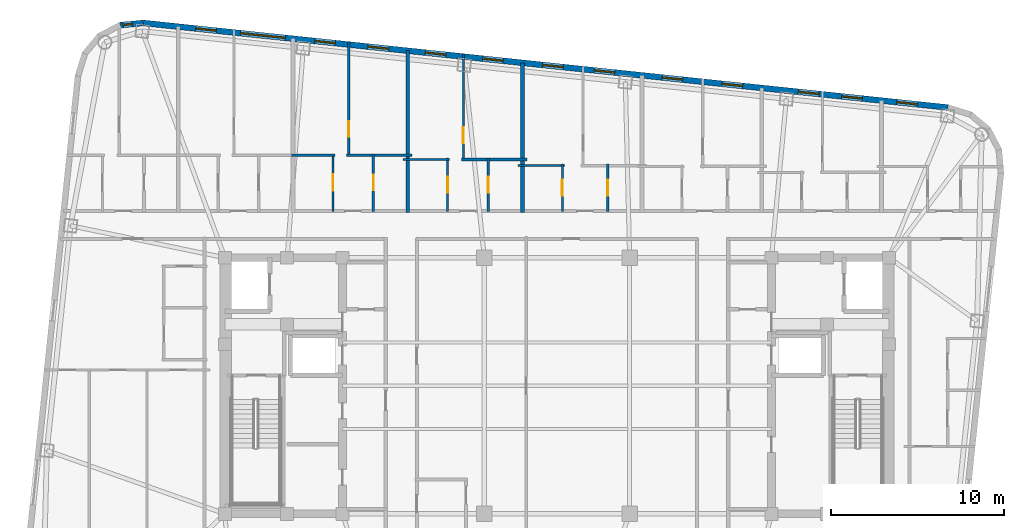
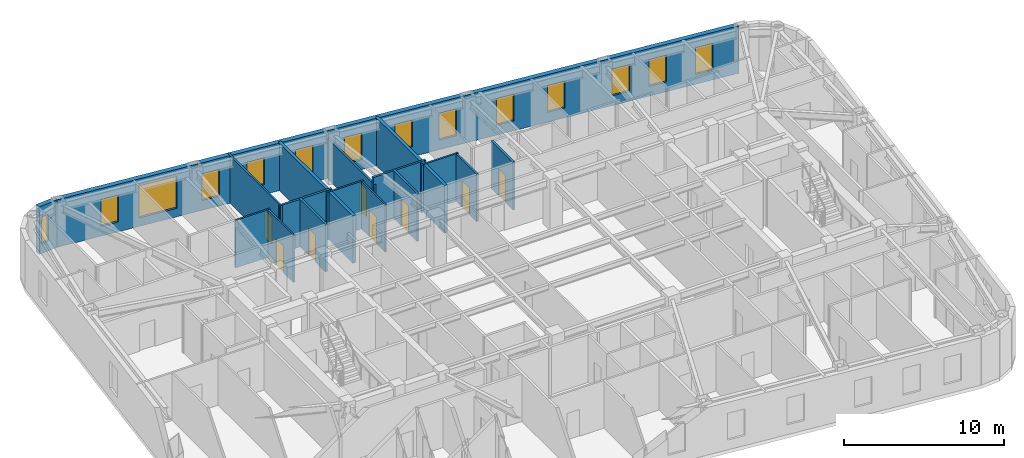
# One storey, part 8 of 11: 17 walls, 14 windows, 8 doors, 22 openings.
"""IFC4 building model written with IfcOpenShell, lengths in metres."""

from ifc_helpers import new_model, si_unit, direction, frame, frame_2d, origin, place, context, subcontext, project, spatial, rectangle, extrude, material, layer, layer_set, type_object, element, fill, save


model = new_model("IFC4")

# Units and contexts
model_context = context("Model", 3, precision=1e-05, world=origin(), true_north=direction((0.0, 1.0)))
body_context = subcontext(model_context, "Body", "Model", "MODEL_VIEW")
ifc_project = project(units=[si_unit("LENGTHUNIT", "METRE"), si_unit("AREAUNIT", "SQUARE_METRE"), si_unit("VOLUMEUNIT", "CUBIC_METRE"), si_unit("PLANEANGLEUNIT", "RADIAN"), si_unit("MASSUNIT", "GRAM", prefix="KILO")], contexts=[model_context])

# Site, building, storey
site_placement = place(None, origin())
site = spatial("IfcSite", under=ifc_project, at=site_placement, CompositionType="ELEMENT")
building_placement = place(site_placement, origin())
building = spatial("IfcBuilding", under=site, at=building_placement, Name="Voryun Gate Residences", CompositionType="ELEMENT")
storey_placement = place(building_placement, frame((0.0, 0.0, 299.0)))
storey = spatial("IfcBuildingStorey", under=building, at=storey_placement, Name="L74", CompositionType="ELEMENT", Elevation=299.0)

# Wall, opening, window
ifc_material_1 = material(Name="Charcoal terracotta masonry", Category="masonry")
ifc_layer_1 = layer(ifc_material_1, 0.340087890625, Name="W_EXT_TERRACOTTA_340")
ifc_layer_set_1 = layer_set([ifc_layer_1], Name="Charcoal terracotta masonry")
wall_type_1 = type_object("IfcWallType", Name="W_EXT_TERRACOTTA_340", PredefinedType="ELEMENTEDWALL", material=ifc_layer_set_1)
wall_1_placement = place(storey_placement, frame((-25.256103515625, 20.848388671875, 0.0), z_axis=(0.0, 0.0, 1.0), x_axis=(0.995813013343, 0.091413579172, 0.0)))
wall_1 = element("IfcWall", 1, at=wall_1_placement, inside=storey, type_object=wall_type_1, Name="Exterior wall WEXT-L74-10", PredefinedType="ELEMENTEDWALL", context=body_context, shape_type="SweptSolid", body=[
    extrude(rectangle(XDim=1.35400390625, YDim=0.340087890625, at=frame_2d((0.677001953125, 0.0))), origin(), (0.0, 0.0, 1.0), 3.635009765625),
])
opening_1_placement = place(wall_1_placement, frame((0.177001953125, 0.0, 0.75)))
opening_1 = element("IfcOpeningElement", 2, at=opening_1_placement, cuts=wall_1, Name="Opening WN10", PredefinedType="OPENING", context=body_context, shape_type="SweptSolid", body=[
    extrude(rectangle(XDim=0.52001953125, YDim=2.050048828125, at=frame_2d((0.260009765625, 1.02490234375))), frame((0.0, 0.179931640625, 0.0), z_axis=(0.0, -1.0, 0.0), x_axis=(1.0, 0.0, 0.0)), (0.0, 0.0, 1.0), 0.360107421875),
])
ifc_material_2 = material(Name="Laminated low-E glass", Category="glass")
window_type_1 = type_object("IfcWindowType", Name="WN_PAGODA_LANCET_520", PartitioningType="SINGLE_PANEL", PredefinedType="WINDOW", material=ifc_material_2)
window_1_placement = place(opening_1_placement, origin())
window_1 = element("IfcWindow", 3, at=window_1_placement, inside=storey, type_object=window_type_1, Name="Window WN-L74-DWFIX-02", OverallHeight=2.050048828125, OverallWidth=0.52001953125, PartitioningType="SINGLE_PANEL", PredefinedType="WINDOW", context=body_context, shape_type="SweptSolid", body=[
    extrude(rectangle(XDim=0.52001953125, YDim=2.050048828125, at=frame_2d((0.260009765625, 1.02490234375))), frame((0.0, 0.030029296875, 0.0), z_axis=(0.0, -1.0, 0.0), x_axis=(1.0, 0.0, 0.0)), (0.0, 0.0, 1.0), 0.06005859375),
])
fill(opening_1, window_1)

# Wall, openings, windows
wall_2_placement = place(storey_placement, frame((-23.90771484375, 20.97216796875, 0.0), z_axis=(0.0, 0.0, 1.0), x_axis=(0.994521888554, -0.104528528102, 0.0)))
wall_2 = element("IfcWall", 4, at=wall_2_placement, inside=storey, type_object=wall_type_1, Name="Exterior wall WEXT-L74-11", PredefinedType="ELEMENTEDWALL", context=body_context, shape_type="SweptSolid", body=[
    extrude(rectangle(XDim=46.766357421875, YDim=0.340087890625, at=frame_2d((23.38330078125, 0.0))), origin(), (0.0, 0.0, 1.0), 3.635009765625),
])
opening_2_placement = place(wall_2_placement, frame((5.644287109375, 0.0, 0.64990234375)))
opening_2 = element("IfcOpeningElement", 5, at=opening_2_placement, cuts=wall_2, Name="Opening WN4", PredefinedType="OPENING", context=body_context, shape_type="SweptSolid", body=[
    extrude(rectangle(XDim=2.60009765625, YDim=2.449951171875, at=frame_2d((1.300048828125, 1.22509765625))), frame((0.0, 0.179931640625, 0.0), z_axis=(0.0, -1.0, 0.0), x_axis=(1.0, 0.0, 0.0)), (0.0, 0.0, 1.0), 0.360107421875),
])
opening_3_placement = place(wall_2_placement, frame((3.049560546875, 0.0, 0.75)))
opening_3 = element("IfcOpeningElement", 6, at=opening_3_placement, cuts=wall_2, Name="Opening WN6", PredefinedType="OPENING", context=body_context, shape_type="SweptSolid", body=[
    extrude(rectangle(XDim=1.199951171875, YDim=2.050048828125, at=frame_2d((0.60009765625, 1.02490234375))), frame((0.0, 0.179931640625, 0.0), z_axis=(0.0, -1.0, 0.0), x_axis=(1.0, 0.0, 0.0)), (0.0, 0.0, 1.0), 0.360107421875),
])
opening_4_placement = place(wall_2_placement, frame((9.95654296875, 0.0, 0.75)))
opening_4 = element("IfcOpeningElement", 7, at=opening_4_placement, cuts=wall_2, Name="Opening WN6", PredefinedType="OPENING", context=body_context, shape_type="SweptSolid", body=[
    extrude(rectangle(XDim=1.199951171875, YDim=2.050048828125, at=frame_2d((0.60009765625, 1.02490234375))), frame((0.0, 0.179931640625, 0.0), z_axis=(0.0, -1.0, 0.0), x_axis=(1.0, 0.0, 0.0)), (0.0, 0.0, 1.0), 0.360107421875),
])
opening_5_placement = place(wall_2_placement, frame((13.0498046875, 0.0, 0.75)))
opening_5 = element("IfcOpeningElement", 8, at=opening_5_placement, cuts=wall_2, Name="Opening WN6", PredefinedType="OPENING", context=body_context, shape_type="SweptSolid", body=[
    extrude(rectangle(XDim=1.199951171875, YDim=2.050048828125, at=frame_2d((0.60009765625, 1.02490234375))), frame((0.0, 0.179931640625, 0.0), z_axis=(0.0, -1.0, 0.0), x_axis=(1.0, 0.0, 0.0)), (0.0, 0.0, 1.0), 0.360107421875),
])
opening_6_placement = place(wall_2_placement, frame((16.383056640625, 0.0, 0.75)))
opening_6 = element("IfcOpeningElement", 9, at=opening_6_placement, cuts=wall_2, Name="Opening WN6", PredefinedType="OPENING", context=body_context, shape_type="SweptSolid", body=[
    extrude(rectangle(XDim=1.199951171875, YDim=2.050048828125, at=frame_2d((0.60009765625, 1.02490234375))), frame((0.0, 0.179931640625, 0.0), z_axis=(0.0, -1.0, 0.0), x_axis=(1.0, 0.0, 0.0)), (0.0, 0.0, 1.0), 0.360107421875),
])
opening_7_placement = place(wall_2_placement, frame((19.71630859375, 0.0, 0.75)))
opening_7 = element("IfcOpeningElement", 10, at=opening_7_placement, cuts=wall_2, Name="Opening WN6", PredefinedType="OPENING", context=body_context, shape_type="SweptSolid", body=[
    extrude(rectangle(XDim=1.199951171875, YDim=2.050048828125, at=frame_2d((0.60009765625, 1.02490234375))), frame((0.0, 0.179931640625, 0.0), z_axis=(0.0, -1.0, 0.0), x_axis=(1.0, 0.0, 0.0)), (0.0, 0.0, 1.0), 0.360107421875),
])
opening_8_placement = place(wall_2_placement, frame((23.19482421875, 0.0, 0.75)))
opening_8 = element("IfcOpeningElement", 11, at=opening_8_placement, cuts=wall_2, Name="Opening WN6", PredefinedType="OPENING", context=body_context, shape_type="SweptSolid", body=[
    extrude(rectangle(XDim=1.199951171875, YDim=2.050048828125, at=frame_2d((0.60009765625, 1.02490234375))), frame((0.0, 0.179931640625, 0.0), z_axis=(0.0, -1.0, 0.0), x_axis=(1.0, 0.0, 0.0)), (0.0, 0.0, 1.0), 0.360107421875),
])
opening_9_placement = place(wall_2_placement, frame((26.193603515625, 0.0, 0.75)))
opening_9 = element("IfcOpeningElement", 12, at=opening_9_placement, cuts=wall_2, Name="Opening WN6", PredefinedType="OPENING", context=body_context, shape_type="SweptSolid", body=[
    extrude(rectangle(XDim=1.199951171875, YDim=2.050048828125, at=frame_2d((0.60009765625, 1.02490234375))), frame((0.0, 0.179931640625, 0.0), z_axis=(0.0, -1.0, 0.0), x_axis=(1.0, 0.0, 0.0)), (0.0, 0.0, 1.0), 0.360107421875),
])
opening_10_placement = place(wall_2_placement, frame((30.152099609375, 0.0, 0.75)))
opening_10 = element("IfcOpeningElement", 13, at=opening_10_placement, cuts=wall_2, Name="Opening WN6", PredefinedType="OPENING", context=body_context, shape_type="SweptSolid", body=[
    extrude(rectangle(XDim=1.199951171875, YDim=2.050048828125, at=frame_2d((0.60009765625, 1.02490234375))), frame((0.0, 0.179931640625, 0.0), z_axis=(0.0, -1.0, 0.0), x_axis=(1.0, 0.0, 0.0)), (0.0, 0.0, 1.0), 0.360107421875),
])
opening_11_placement = place(wall_2_placement, frame((33.630615234375, 0.0, 0.75)))
opening_11 = element("IfcOpeningElement", 14, at=opening_11_placement, cuts=wall_2, Name="Opening WN6", PredefinedType="OPENING", context=body_context, shape_type="SweptSolid", body=[
    extrude(rectangle(XDim=1.199951171875, YDim=2.050048828125, at=frame_2d((0.60009765625, 1.02490234375))), frame((0.0, 0.179931640625, 0.0), z_axis=(0.0, -1.0, 0.0), x_axis=(1.0, 0.0, 0.0)), (0.0, 0.0, 1.0), 0.360107421875),
])
opening_12_placement = place(wall_2_placement, frame((38.069580078125, 0.0, 0.75)))
opening_12 = element("IfcOpeningElement", 15, at=opening_12_placement, cuts=wall_2, Name="Opening WN6", PredefinedType="OPENING", context=body_context, shape_type="SweptSolid", body=[
    extrude(rectangle(XDim=1.199951171875, YDim=2.050048828125, at=frame_2d((0.60009765625, 1.02490234375))), frame((0.0, 0.179931640625, 0.0), z_axis=(0.0, -1.0, 0.0), x_axis=(1.0, 0.0, 0.0)), (0.0, 0.0, 1.0), 0.360107421875),
])
opening_13_placement = place(wall_2_placement, frame((40.588623046875, 0.0, 0.75)))
opening_13 = element("IfcOpeningElement", 16, at=opening_13_placement, cuts=wall_2, Name="Opening WN6", PredefinedType="OPENING", context=body_context, shape_type="SweptSolid", body=[
    extrude(rectangle(XDim=1.199951171875, YDim=2.050048828125, at=frame_2d((0.60009765625, 1.02490234375))), frame((0.0, 0.179931640625, 0.0), z_axis=(0.0, -1.0, 0.0), x_axis=(1.0, 0.0, 0.0)), (0.0, 0.0, 1.0), 0.360107421875),
])
opening_14_placement = place(wall_2_placement, frame((43.78857421875, 0.0, 0.75)))
opening_14 = element("IfcOpeningElement", 17, at=opening_14_placement, cuts=wall_2, Name="Opening WN6", PredefinedType="OPENING", context=body_context, shape_type="SweptSolid", body=[
    extrude(rectangle(XDim=1.199951171875, YDim=2.050048828125, at=frame_2d((0.60009765625, 1.02490234375))), frame((0.0, 0.179931640625, 0.0), z_axis=(0.0, -1.0, 0.0), x_axis=(1.0, 0.0, 0.0)), (0.0, 0.0, 1.0), 0.360107421875),
])
ifc_material_3 = material(Name="Laminated low-E glass", Category="glass")
window_type_2 = type_object("IfcWindowType", Name="WN_PENT_TALL_2600", PartitioningType="SINGLE_PANEL", PredefinedType="WINDOW", material=ifc_material_3)
window_2_placement = place(opening_2_placement, origin())
window_2 = element("IfcWindow", 18, at=window_2_placement, inside=storey, type_object=window_type_2, Name="Window WN-WEXT-L74-11-01", OverallHeight=2.449951171875, OverallWidth=2.60009765625, PartitioningType="SINGLE_PANEL", PredefinedType="WINDOW", context=body_context, shape_type="SweptSolid", body=[
    extrude(rectangle(XDim=2.60009765625, YDim=2.449951171875, at=frame_2d((1.300048828125, 1.22509765625))), frame((0.0, 0.030029296875, 0.0), z_axis=(0.0, -1.0, 0.0), x_axis=(1.0, 0.0, 0.0)), (0.0, 0.0, 1.0), 0.06005859375),
])
fill(opening_2, window_2)
ifc_material_4 = material(Name="Laminated low-E glass", Category="glass")
window_type_3 = type_object("IfcWindowType", Name="WN_POD_SLOT_1200", PartitioningType="SINGLE_PANEL", PredefinedType="WINDOW", material=ifc_material_4)
window_3_placement = place(opening_3_placement, origin())
window_3 = element("IfcWindow", 19, at=window_3_placement, inside=storey, type_object=window_type_3, Name="Window WN-L74-DWFIX-03", OverallHeight=2.050048828125, OverallWidth=1.199951171875, PartitioningType="SINGLE_PANEL", PredefinedType="WINDOW", context=body_context, shape_type="SweptSolid", body=[
    extrude(rectangle(XDim=1.199951171875, YDim=2.050048828125, at=frame_2d((0.60009765625, 1.02490234375))), frame((0.0, 0.030029296875, 0.0), z_axis=(0.0, -1.0, 0.0), x_axis=(1.0, 0.0, 0.0)), (0.0, 0.0, 1.0), 0.06005859375),
])
fill(opening_3, window_3)
window_4_placement = place(opening_4_placement, origin())
window_4 = element("IfcWindow", 20, at=window_4_placement, inside=storey, type_object=window_type_3, Name="Window WN-L74-DWFIX-04", OverallHeight=2.050048828125, OverallWidth=1.199951171875, PartitioningType="SINGLE_PANEL", PredefinedType="WINDOW", context=body_context, shape_type="SweptSolid", body=[
    extrude(rectangle(XDim=1.199951171875, YDim=2.050048828125, at=frame_2d((0.60009765625, 1.02490234375))), frame((0.0, 0.030029296875, 0.0), z_axis=(0.0, -1.0, 0.0), x_axis=(1.0, 0.0, 0.0)), (0.0, 0.0, 1.0), 0.06005859375),
])
fill(opening_4, window_4)
window_5_placement = place(opening_5_placement, origin())
window_5 = element("IfcWindow", 21, at=window_5_placement, inside=storey, type_object=window_type_3, Name="Window WN-L74-DWFIX-05", OverallHeight=2.050048828125, OverallWidth=1.199951171875, PartitioningType="SINGLE_PANEL", PredefinedType="WINDOW", context=body_context, shape_type="SweptSolid", body=[
    extrude(rectangle(XDim=1.199951171875, YDim=2.050048828125, at=frame_2d((0.60009765625, 1.02490234375))), frame((0.0, 0.030029296875, 0.0), z_axis=(0.0, -1.0, 0.0), x_axis=(1.0, 0.0, 0.0)), (0.0, 0.0, 1.0), 0.06005859375),
])
fill(opening_5, window_5)
window_6_placement = place(opening_6_placement, origin())
window_6 = element("IfcWindow", 22, at=window_6_placement, inside=storey, type_object=window_type_3, Name="Window WN-L74-DWFIX-06", OverallHeight=2.050048828125, OverallWidth=1.199951171875, PartitioningType="SINGLE_PANEL", PredefinedType="WINDOW", context=body_context, shape_type="SweptSolid", body=[
    extrude(rectangle(XDim=1.199951171875, YDim=2.050048828125, at=frame_2d((0.60009765625, 1.02490234375))), frame((0.0, 0.030029296875, 0.0), z_axis=(0.0, -1.0, 0.0), x_axis=(1.0, 0.0, 0.0)), (0.0, 0.0, 1.0), 0.06005859375),
])
fill(opening_6, window_6)
window_7_placement = place(opening_7_placement, origin())
window_7 = element("IfcWindow", 23, at=window_7_placement, inside=storey, type_object=window_type_3, Name="Window WN-L74-DWFIX-07", OverallHeight=2.050048828125, OverallWidth=1.199951171875, PartitioningType="SINGLE_PANEL", PredefinedType="WINDOW", context=body_context, shape_type="SweptSolid", body=[
    extrude(rectangle(XDim=1.199951171875, YDim=2.050048828125, at=frame_2d((0.60009765625, 1.02490234375))), frame((0.0, 0.030029296875, 0.0), z_axis=(0.0, -1.0, 0.0), x_axis=(1.0, 0.0, 0.0)), (0.0, 0.0, 1.0), 0.06005859375),
])
fill(opening_7, window_7)
window_8_placement = place(opening_8_placement, origin())
window_8 = element("IfcWindow", 24, at=window_8_placement, inside=storey, type_object=window_type_3, Name="Window WN-L74-DWFIX-08", OverallHeight=2.050048828125, OverallWidth=1.199951171875, PartitioningType="SINGLE_PANEL", PredefinedType="WINDOW", context=body_context, shape_type="SweptSolid", body=[
    extrude(rectangle(XDim=1.199951171875, YDim=2.050048828125, at=frame_2d((0.60009765625, 1.02490234375))), frame((0.0, 0.030029296875, 0.0), z_axis=(0.0, -1.0, 0.0), x_axis=(1.0, 0.0, 0.0)), (0.0, 0.0, 1.0), 0.06005859375),
])
fill(opening_8, window_8)
window_9_placement = place(opening_9_placement, origin())
window_9 = element("IfcWindow", 25, at=window_9_placement, inside=storey, type_object=window_type_3, Name="Window WN-L74-DWFIX-09", OverallHeight=2.050048828125, OverallWidth=1.199951171875, PartitioningType="SINGLE_PANEL", PredefinedType="WINDOW", context=body_context, shape_type="SweptSolid", body=[
    extrude(rectangle(XDim=1.199951171875, YDim=2.050048828125, at=frame_2d((0.60009765625, 1.02490234375))), frame((0.0, 0.030029296875, 0.0), z_axis=(0.0, -1.0, 0.0), x_axis=(1.0, 0.0, 0.0)), (0.0, 0.0, 1.0), 0.06005859375),
])
fill(opening_9, window_9)
window_10_placement = place(opening_10_placement, origin())
window_10 = element("IfcWindow", 26, at=window_10_placement, inside=storey, type_object=window_type_3, Name="Window WN-L74-DWFIX-10", OverallHeight=2.050048828125, OverallWidth=1.199951171875, PartitioningType="SINGLE_PANEL", PredefinedType="WINDOW", context=body_context, shape_type="SweptSolid", body=[
    extrude(rectangle(XDim=1.199951171875, YDim=2.050048828125, at=frame_2d((0.60009765625, 1.02490234375))), frame((0.0, 0.030029296875, 0.0), z_axis=(0.0, -1.0, 0.0), x_axis=(1.0, 0.0, 0.0)), (0.0, 0.0, 1.0), 0.06005859375),
])
fill(opening_10, window_10)
window_11_placement = place(opening_11_placement, origin())
window_11 = element("IfcWindow", 27, at=window_11_placement, inside=storey, type_object=window_type_3, Name="Window WN-L74-DWFIX-11", OverallHeight=2.050048828125, OverallWidth=1.199951171875, PartitioningType="SINGLE_PANEL", PredefinedType="WINDOW", context=body_context, shape_type="SweptSolid", body=[
    extrude(rectangle(XDim=1.199951171875, YDim=2.050048828125, at=frame_2d((0.60009765625, 1.02490234375))), frame((0.0, 0.030029296875, 0.0), z_axis=(0.0, -1.0, 0.0), x_axis=(1.0, 0.0, 0.0)), (0.0, 0.0, 1.0), 0.06005859375),
])
fill(opening_11, window_11)
window_12_placement = place(opening_12_placement, origin())
window_12 = element("IfcWindow", 28, at=window_12_placement, inside=storey, type_object=window_type_3, Name="Window WN-L74-DWFIX-12", OverallHeight=2.050048828125, OverallWidth=1.199951171875, PartitioningType="SINGLE_PANEL", PredefinedType="WINDOW", context=body_context, shape_type="SweptSolid", body=[
    extrude(rectangle(XDim=1.199951171875, YDim=2.050048828125, at=frame_2d((0.60009765625, 1.02490234375))), frame((0.0, 0.030029296875, 0.0), z_axis=(0.0, -1.0, 0.0), x_axis=(1.0, 0.0, 0.0)), (0.0, 0.0, 1.0), 0.06005859375),
])
fill(opening_12, window_12)
window_13_placement = place(opening_13_placement, origin())
window_13 = element("IfcWindow", 29, at=window_13_placement, inside=storey, type_object=window_type_3, Name="Window WN-L74-DWFIX-13", OverallHeight=2.050048828125, OverallWidth=1.199951171875, PartitioningType="SINGLE_PANEL", PredefinedType="WINDOW", context=body_context, shape_type="SweptSolid", body=[
    extrude(rectangle(XDim=1.199951171875, YDim=2.050048828125, at=frame_2d((0.60009765625, 1.02490234375))), frame((0.0, 0.030029296875, 0.0), z_axis=(0.0, -1.0, 0.0), x_axis=(1.0, 0.0, 0.0)), (0.0, 0.0, 1.0), 0.06005859375),
])
fill(opening_13, window_13)
window_14_placement = place(opening_14_placement, origin())
window_14 = element("IfcWindow", 30, at=window_14_placement, inside=storey, type_object=window_type_3, Name="Window WN-L74-DWFIX-14", OverallHeight=2.050048828125, OverallWidth=1.199951171875, PartitioningType="SINGLE_PANEL", PredefinedType="WINDOW", context=body_context, shape_type="SweptSolid", body=[
    extrude(rectangle(XDim=1.199951171875, YDim=2.050048828125, at=frame_2d((0.60009765625, 1.02490234375))), frame((0.0, 0.030029296875, 0.0), z_axis=(0.0, -1.0, 0.0), x_axis=(1.0, 0.0, 0.0)), (0.0, 0.0, 1.0), 0.06005859375),
])
fill(opening_14, window_14)

# Walls
ifc_material_5 = material(Name="Concrete C40/50", Category="concrete")
ifc_layer_2 = layer(ifc_material_5, 0.219970703125, Name="W_PARTY_ACOUSTIC_220")
ifc_layer_set_2 = layer_set([ifc_layer_2], Name="Concrete C40/50")
wall_type_2 = type_object("IfcWallType", Name="W_PARTY_ACOUSTIC_220", PredefinedType="PARTITIONING", material=ifc_layer_set_2)
wall_3_placement = place(storey_placement, frame((-8.6298828125, 10.02001953125, 0.0), z_axis=(0.0, 0.0, 1.0), x_axis=(0.0, 1.0, 0.0)))
element("IfcWall", 31, at=wall_3_placement, inside=storey, type_object=wall_type_2, Name="Partition wall WP-L74-NPTY-3", PredefinedType="PARTITIONING", context=body_context, shape_type="SweptSolid", body=[
    extrude(rectangle(XDim=9.346435546875, YDim=0.219970703125, at=frame_2d((4.67333984375, 0.0))), origin(), (0.0, 0.0, 1.0), 3.635009765625),
])
wall_4_placement = place(storey_placement, frame((-2.0, 10.02001953125, 0.0), z_axis=(0.0, 0.0, 1.0), x_axis=(0.0, 1.0, 0.0)))
element("IfcWall", 32, at=wall_4_placement, inside=storey, type_object=wall_type_2, Name="Partition wall WP-L74-NPTY-4", PredefinedType="PARTITIONING", context=body_context, shape_type="SweptSolid", body=[
    extrude(rectangle(XDim=8.649658203125, YDim=0.219970703125, at=frame_2d((4.32470703125, 0.0))), origin(), (0.0, 0.0, 1.0), 3.635009765625),
])

# Wall, opening, door
ifc_material_6 = material(Name="Gypsum acoustic partition")
ifc_layer_3 = layer(ifc_material_6, 0.125, Name="W_UNIT_PART_125")
ifc_layer_set_3 = layer_set([ifc_layer_3], Name="Gypsum acoustic partition")
wall_type_3 = type_object("IfcWallType", Name="W_UNIT_PART_125", PredefinedType="PARTITIONING", material=ifc_layer_set_3)
wall_5_placement = place(storey_placement, frame((-12.0400390625, 13.239990234375, 0.0), z_axis=(0.0, 0.0, 1.0), x_axis=(0.0, 1.0, 0.0)))
wall_5 = element("IfcWall", 33, at=wall_5_placement, inside=storey, type_object=wall_type_3, Name="Partition wall WP-L74-N3-OVR", PredefinedType="PARTITIONING", context=body_context, shape_type="SweptSolid", body=[
    extrude(rectangle(XDim=6.635498046875, YDim=0.125, at=frame_2d((3.31787109375, 0.0))), origin(), (0.0, 0.0, 1.0), 3.635009765625),
])
opening_15_placement = place(wall_5_placement, frame((1.142578125, 0.0, 0.0)))
opening_15 = element("IfcOpeningElement", 34, at=opening_15_placement, cuts=wall_5, Name="Opening D-INT-2", PredefinedType="OPENING", context=body_context, shape_type="SweptSolid", body=[
    extrude(rectangle(XDim=0.89990234375, YDim=2.050048828125, at=frame_2d((0.449951171875, 1.02490234375))), frame((0.0, 0.072509765625, 0.0), z_axis=(0.0, -1.0, 0.0), x_axis=(1.0, 0.0, 0.0)), (0.0, 0.0, 1.0), 0.14501953125),
])
ifc_material_7 = material(Name="Architectural oak veneer")
door_type_1 = type_object("IfcDoorType", Name="DR_INT_BATH_900", OperationType="NOTDEFINED", PredefinedType="DOOR", material=ifc_material_7)
door_1_placement = place(opening_15_placement, origin())
door_1 = element("IfcDoor", 35, at=door_1_placement, inside=storey, type_object=door_type_1, Name="Door DR-L74-N3-DMB", OperationType="SINGLE_SWING_RIGHT", OverallHeight=2.050048828125, OverallWidth=0.89990234375, PredefinedType="DOOR", context=body_context, shape_type="SweptSolid", body=[
    extrude(rectangle(XDim=0.89990234375, YDim=2.050048828125, at=frame_2d((0.449951171875, 1.02490234375))), frame((0.0, 0.02490234375, 0.0), z_axis=(0.0, -1.0, 0.0), x_axis=(1.0, 0.0, 0.0)), (0.0, 0.0, 1.0), 0.050048828125),
])
fill(opening_15, door_1)

wall_6_placement = place(storey_placement, frame((-12.949951171875, 10.080078125, 0.0), z_axis=(0.0, 0.0, 1.0), x_axis=(0.0, 1.0, 0.0)))
wall_6 = element("IfcWall", 36, at=wall_6_placement, inside=storey, type_object=wall_type_3, Name="Partition wall WP-L74-N3-IVK", PredefinedType="PARTITIONING", context=body_context, shape_type="SweptSolid", body=[
    extrude(rectangle(XDim=3.31982421875, YDim=0.125, at=frame_2d((1.659912109375, 0.0))), origin(), (0.0, 0.0, 1.0), 3.635009765625),
])
opening_16_placement = place(wall_6_placement, frame((1.18505859375, 0.0, 0.0)))
opening_16 = element("IfcOpeningElement", 37, at=opening_16_placement, cuts=wall_6, Name="Opening D-INT-1", PredefinedType="OPENING", context=body_context, shape_type="SweptSolid", body=[
    extrude(rectangle(XDim=0.949951171875, YDim=2.050048828125, at=frame_2d((0.47509765625, 1.02490234375))), frame((0.0, 0.072509765625, 0.0), z_axis=(0.0, -1.0, 0.0), x_axis=(1.0, 0.0, 0.0)), (0.0, 0.0, 1.0), 0.14501953125),
])
ifc_material_8 = material(Name="Architectural oak veneer")
door_type_2 = type_object("IfcDoorType", Name="DR_INT_ROOM_950", OperationType="NOTDEFINED", PredefinedType="DOOR", material=ifc_material_8)
door_2_placement = place(opening_16_placement, origin())
door_2 = element("IfcDoor", 38, at=door_2_placement, inside=storey, type_object=door_type_2, Name="Door DR-L74-N3-DK", OperationType="SINGLE_SWING_LEFT", OverallHeight=2.050048828125, OverallWidth=0.949951171875, PredefinedType="DOOR", context=body_context, shape_type="SweptSolid", body=[
    extrude(rectangle(XDim=0.949951171875, YDim=2.050048828125, at=frame_2d((0.47509765625, 1.02490234375))), frame((0.0, 0.02490234375, 0.0), z_axis=(0.0, -1.0, 0.0), x_axis=(1.0, 0.0, 0.0)), (0.0, 0.0, 1.0), 0.050048828125),
])
fill(opening_16, door_2)

# Wall
wall_7_placement = place(storey_placement, frame((-15.3349609375, 13.320068359375, 0.0), z_axis=(0.0, 0.0, 1.0), x_axis=(1.0, 0.0, 0.0)))
element("IfcWall", 39, at=wall_7_placement, inside=storey, type_object=wall_type_3, Name="Partition wall WP-L74-N3-HZK", PredefinedType="PARTITIONING", context=body_context, shape_type="SweptSolid", body=[
    extrude(rectangle(XDim=2.5048828125, YDim=0.125, at=frame_2d((1.25244140625, 0.0))), origin(), (0.0, 0.0, 1.0), 3.635009765625),
])

# Wall, opening, door
wall_8_placement = place(storey_placement, frame((-5.409912109375, 12.9990234375, 0.0), z_axis=(0.0, 0.0, 1.0), x_axis=(0.0, 1.0, 0.0)))
wall_8 = element("IfcWall", 40, at=wall_8_placement, inside=storey, type_object=wall_type_3, Name="Partition wall WP-L74-N4-OVR", PredefinedType="PARTITIONING", context=body_context, shape_type="SweptSolid", body=[
    extrude(rectangle(XDim=6.1796875, YDim=0.125, at=frame_2d((3.08984375, 0.0))), origin(), (0.0, 0.0, 1.0), 3.074951171875),
])
opening_17_placement = place(wall_8_placement, frame((1.033203125, 0.0, 0.0)))
opening_17 = element("IfcOpeningElement", 41, at=opening_17_placement, cuts=wall_8, Name="Opening D-INT-2", PredefinedType="OPENING", context=body_context, shape_type="SweptSolid", body=[
    extrude(rectangle(XDim=0.89990234375, YDim=2.050048828125, at=frame_2d((0.449951171875, 1.02490234375))), frame((0.0, 0.072509765625, 0.0), z_axis=(0.0, -1.0, 0.0), x_axis=(1.0, 0.0, 0.0)), (0.0, 0.0, 1.0), 0.14501953125),
])
door_3_placement = place(opening_17_placement, origin())
door_3 = element("IfcDoor", 42, at=door_3_placement, inside=storey, type_object=door_type_1, Name="Door DR-L74-N4-DMB", OperationType="SINGLE_SWING_RIGHT", OverallHeight=2.050048828125, OverallWidth=0.89990234375, PredefinedType="DOOR", context=body_context, shape_type="SweptSolid", body=[
    extrude(rectangle(XDim=0.89990234375, YDim=2.050048828125, at=frame_2d((0.449951171875, 1.02490234375))), frame((0.0, 0.02490234375, 0.0), z_axis=(0.0, -1.0, 0.0), x_axis=(1.0, 0.0, 0.0)), (0.0, 0.0, 1.0), 0.050048828125),
])
fill(opening_17, door_3)

wall_9_placement = place(storey_placement, frame((-6.320068359375, 10.080078125, 0.0), z_axis=(0.0, 0.0, 1.0), x_axis=(0.0, 1.0, 0.0)))
wall_9 = element("IfcWall", 43, at=wall_9_placement, inside=storey, type_object=wall_type_3, Name="Partition wall WP-L74-N4-IVK", PredefinedType="PARTITIONING", context=body_context, shape_type="SweptSolid", body=[
    extrude(rectangle(XDim=3.078857421875, YDim=0.125, at=frame_2d((1.53955078125, 0.0))), origin(), (0.0, 0.0, 1.0), 3.635009765625),
])
opening_18_placement = place(wall_9_placement, frame((1.064453125, 0.0, 0.0)))
opening_18 = element("IfcOpeningElement", 44, at=opening_18_placement, cuts=wall_9, Name="Opening D-INT-1", PredefinedType="OPENING", context=body_context, shape_type="SweptSolid", body=[
    extrude(rectangle(XDim=0.949951171875, YDim=2.050048828125, at=frame_2d((0.47509765625, 1.02490234375))), frame((0.0, 0.072509765625, 0.0), z_axis=(0.0, -1.0, 0.0), x_axis=(1.0, 0.0, 0.0)), (0.0, 0.0, 1.0), 0.14501953125),
])
door_4_placement = place(opening_18_placement, origin())
door_4 = element("IfcDoor", 45, at=door_4_placement, inside=storey, type_object=door_type_2, Name="Door DR-L74-N4-DK", OperationType="SINGLE_SWING_LEFT", OverallHeight=2.050048828125, OverallWidth=0.949951171875, PredefinedType="DOOR", context=body_context, shape_type="SweptSolid", body=[
    extrude(rectangle(XDim=0.949951171875, YDim=2.050048828125, at=frame_2d((0.47509765625, 1.02490234375))), frame((0.0, 0.02490234375, 0.0), z_axis=(0.0, -1.0, 0.0), x_axis=(1.0, 0.0, 0.0)), (0.0, 0.0, 1.0), 0.050048828125),
])
fill(opening_18, door_4)

# Wall
wall_10_placement = place(storey_placement, frame((-8.889892578125, 13.0791015625, 0.0), z_axis=(0.0, 0.0, 1.0), x_axis=(1.0, 0.0, 0.0)))
element("IfcWall", 46, at=wall_10_placement, inside=storey, type_object=wall_type_3, Name="Partition wall WP-L74-N4-HZK", PredefinedType="PARTITIONING", context=body_context, shape_type="SweptSolid", body=[
    extrude(rectangle(XDim=2.68994140625, YDim=0.125, at=frame_2d((1.344970703125, 0.0))), origin(), (0.0, 0.0, 1.0), 3.635009765625),
])

# Wall, opening, door
wall_11_placement = place(storey_placement, frame((0.31005859375, 10.080078125, 0.0), z_axis=(0.0, 0.0, 1.0), x_axis=(0.0, 1.0, 0.0)))
wall_11 = element("IfcWall", 47, at=wall_11_placement, inside=storey, type_object=wall_type_3, Name="Partition wall WP-L74-N5-IVK", PredefinedType="PARTITIONING", context=body_context, shape_type="SweptSolid", body=[
    extrude(rectangle(XDim=2.72802734375, YDim=0.125, at=frame_2d((1.364013671875, 0.0))), origin(), (0.0, 0.0, 1.0), 3.635009765625),
])
opening_19_placement = place(wall_11_placement, frame((0.888916015625, 0.0, 0.0)))
opening_19 = element("IfcOpeningElement", 48, at=opening_19_placement, cuts=wall_11, Name="Opening D-INT-1", PredefinedType="OPENING", context=body_context, shape_type="SweptSolid", body=[
    extrude(rectangle(XDim=0.949951171875, YDim=2.050048828125, at=frame_2d((0.47509765625, 1.02490234375))), frame((0.0, 0.072509765625, 0.0), z_axis=(0.0, -1.0, 0.0), x_axis=(1.0, 0.0, 0.0)), (0.0, 0.0, 1.0), 0.14501953125),
])
door_5_placement = place(opening_19_placement, origin())
door_5 = element("IfcDoor", 49, at=door_5_placement, inside=storey, type_object=door_type_2, Name="Door DR-L74-N5-DK", OperationType="SINGLE_SWING_LEFT", OverallHeight=2.050048828125, OverallWidth=0.949951171875, PredefinedType="DOOR", context=body_context, shape_type="SweptSolid", body=[
    extrude(rectangle(XDim=0.949951171875, YDim=2.050048828125, at=frame_2d((0.47509765625, 1.02490234375))), frame((0.0, 0.02490234375, 0.0), z_axis=(0.0, -1.0, 0.0), x_axis=(1.0, 0.0, 0.0)), (0.0, 0.0, 1.0), 0.050048828125),
])
fill(opening_19, door_5)

# Walls
wall_12_placement = place(storey_placement, frame((-2.260009765625, 12.72802734375, 0.0), z_axis=(0.0, 0.0, 1.0), x_axis=(1.0, 0.0, 0.0)))
element("IfcWall", 50, at=wall_12_placement, inside=storey, type_object=wall_type_3, Name="Partition wall WP-L74-N5-HZK", PredefinedType="PARTITIONING", context=body_context, shape_type="SweptSolid", body=[
    extrude(rectangle(XDim=2.68994140625, YDim=0.125, at=frame_2d((1.344970703125, 0.0))), origin(), (0.0, 0.0, 1.0), 3.635009765625),
])
ifc_material_9 = material(Name="Gypsum moisture-resistant partition")
ifc_layer_4 = layer(ifc_material_9, 0.14990234375, Name="W_WET_PLUMB_150")
ifc_layer_set_4 = layer_set([ifc_layer_4], Name="Gypsum moisture-resistant partition")
wall_type_4 = type_object("IfcWallType", Name="W_WET_PLUMB_150", PredefinedType="PLUMBINGWALL", material=ifc_layer_set_4)
wall_13_placement = place(storey_placement, frame((-12.159912109375, 13.320068359375, 0.0), z_axis=(0.0, 0.0, 1.0), x_axis=(1.0, 0.0, 0.0)))
element("IfcWall", 51, at=wall_13_placement, inside=storey, type_object=wall_type_4, Name="Partition wall WP-L74-N3-HZB", PredefinedType="PLUMBINGWALL", context=body_context, shape_type="SweptSolid", body=[
    extrude(rectangle(XDim=3.789794921875, YDim=0.14990234375, at=frame_2d((1.89501953125, 0.0))), origin(), (0.0, 0.0, 1.0), 3.635009765625),
])

# Wall, opening, door
wall_14_placement = place(storey_placement, frame((-10.610107421875, 10.080078125, 0.0), z_axis=(0.0, 0.0, 1.0), x_axis=(0.0, 1.0, 0.0)))
wall_14 = element("IfcWall", 52, at=wall_14_placement, inside=storey, type_object=wall_type_4, Name="Partition wall WP-L74-N3-IVB", PredefinedType="PLUMBINGWALL", context=body_context, shape_type="SweptSolid", body=[
    extrude(rectangle(XDim=3.31982421875, YDim=0.14990234375, at=frame_2d((1.659912109375, 0.0))), origin(), (0.0, 0.0, 1.0), 3.635009765625),
])
opening_20_placement = place(wall_14_placement, frame((1.2099609375, 0.0, 0.0)))
opening_20 = element("IfcOpeningElement", 53, at=opening_20_placement, cuts=wall_14, Name="Opening D-INT-2", PredefinedType="OPENING", context=body_context, shape_type="SweptSolid", body=[
    extrude(rectangle(XDim=0.89990234375, YDim=2.050048828125, at=frame_2d((0.449951171875, 1.02490234375))), frame((0.0, 0.0849609375, 0.0), z_axis=(0.0, -1.0, 0.0), x_axis=(1.0, 0.0, 0.0)), (0.0, 0.0, 1.0), 0.169921875),
])
door_6_placement = place(opening_20_placement, origin())
door_6 = element("IfcDoor", 54, at=door_6_placement, inside=storey, type_object=door_type_1, Name="Door DR-L74-N3-DB", OperationType="SINGLE_SWING_RIGHT", OverallHeight=2.050048828125, OverallWidth=0.89990234375, PredefinedType="DOOR", context=body_context, shape_type="SweptSolid", body=[
    extrude(rectangle(XDim=0.89990234375, YDim=2.050048828125, at=frame_2d((0.449951171875, 1.02490234375))), frame((0.0, 0.02490234375, 0.0), z_axis=(0.0, -1.0, 0.0), x_axis=(1.0, 0.0, 0.0)), (0.0, 0.0, 1.0), 0.050048828125),
])
fill(opening_20, door_6)

# Wall
wall_15_placement = place(storey_placement, frame((-5.530029296875, 13.0791015625, 0.0), z_axis=(0.0, 0.0, 1.0), x_axis=(1.0, 0.0, 0.0)))
element("IfcWall", 55, at=wall_15_placement, inside=storey, type_object=wall_type_4, Name="Partition wall WP-L74-N4-HZB", PredefinedType="PLUMBINGWALL", context=body_context, shape_type="SweptSolid", body=[
    extrude(rectangle(XDim=3.7900390625, YDim=0.14990234375, at=frame_2d((1.89501953125, 0.0))), origin(), (0.0, 0.0, 1.0), 3.635009765625),
])

# Wall, opening, door
wall_16_placement = place(storey_placement, frame((-3.97998046875, 10.080078125, 0.0), z_axis=(0.0, 0.0, 1.0), x_axis=(0.0, 1.0, 0.0)))
wall_16 = element("IfcWall", 56, at=wall_16_placement, inside=storey, type_object=wall_type_4, Name="Partition wall WP-L74-N4-IVB", PredefinedType="PLUMBINGWALL", context=body_context, shape_type="SweptSolid", body=[
    extrude(rectangle(XDim=3.078857421875, YDim=0.14990234375, at=frame_2d((1.53955078125, 0.0))), origin(), (0.0, 0.0, 1.0), 3.635009765625),
])
opening_21_placement = place(wall_16_placement, frame((1.089599609375, 0.0, 0.0)))
opening_21 = element("IfcOpeningElement", 57, at=opening_21_placement, cuts=wall_16, Name="Opening D-INT-2", PredefinedType="OPENING", context=body_context, shape_type="SweptSolid", body=[
    extrude(rectangle(XDim=0.89990234375, YDim=2.050048828125, at=frame_2d((0.449951171875, 1.02490234375))), frame((0.0, 0.0849609375, 0.0), z_axis=(0.0, -1.0, 0.0), x_axis=(1.0, 0.0, 0.0)), (0.0, 0.0, 1.0), 0.169921875),
])
door_7_placement = place(opening_21_placement, origin())
door_7 = element("IfcDoor", 58, at=door_7_placement, inside=storey, type_object=door_type_1, Name="Door DR-L74-N4-DB", OperationType="SINGLE_SWING_RIGHT", OverallHeight=2.050048828125, OverallWidth=0.89990234375, PredefinedType="DOOR", context=body_context, shape_type="SweptSolid", body=[
    extrude(rectangle(XDim=0.89990234375, YDim=2.050048828125, at=frame_2d((0.449951171875, 1.02490234375))), frame((0.0, 0.02490234375, 0.0), z_axis=(0.0, -1.0, 0.0), x_axis=(1.0, 0.0, 0.0)), (0.0, 0.0, 1.0), 0.050048828125),
])
fill(opening_21, door_7)

wall_17_placement = place(storey_placement, frame((2.93896484375, 10.080078125, 0.0), z_axis=(0.0, 0.0, 1.0), x_axis=(0.0, 1.0, 0.0)))
wall_17 = element("IfcWall", 59, at=wall_17_placement, inside=storey, type_object=wall_type_4, Name="Partition wall WP-L74-N5-IVB", PredefinedType="PLUMBINGWALL", context=body_context, shape_type="SweptSolid", body=[
    extrude(rectangle(XDim=2.72802734375, YDim=0.14990234375, at=frame_2d((1.364013671875, 0.0))), origin(), (0.0, 0.0, 1.0), 3.635009765625),
])
opening_22_placement = place(wall_17_placement, frame((0.9140625, 0.0, 0.0)))
opening_22 = element("IfcOpeningElement", 60, at=opening_22_placement, cuts=wall_17, Name="Opening D-INT-2", PredefinedType="OPENING", context=body_context, shape_type="SweptSolid", body=[
    extrude(rectangle(XDim=0.89990234375, YDim=2.050048828125, at=frame_2d((0.449951171875, 1.02490234375))), frame((0.0, 0.0849609375, 0.0), z_axis=(0.0, -1.0, 0.0), x_axis=(1.0, 0.0, 0.0)), (0.0, 0.0, 1.0), 0.169921875),
])
door_8_placement = place(opening_22_placement, origin())
door_8 = element("IfcDoor", 61, at=door_8_placement, inside=storey, type_object=door_type_1, Name="Door DR-L74-N5-DB", OperationType="SINGLE_SWING_RIGHT", OverallHeight=2.050048828125, OverallWidth=0.89990234375, PredefinedType="DOOR", context=body_context, shape_type="SweptSolid", body=[
    extrude(rectangle(XDim=0.89990234375, YDim=2.050048828125, at=frame_2d((0.449951171875, 1.02490234375))), frame((0.0, 0.02490234375, 0.0), z_axis=(0.0, -1.0, 0.0), x_axis=(1.0, 0.0, 0.0)), (0.0, 0.0, 1.0), 0.050048828125),
])
fill(opening_22, door_8)

save(model, "model.ifc")
